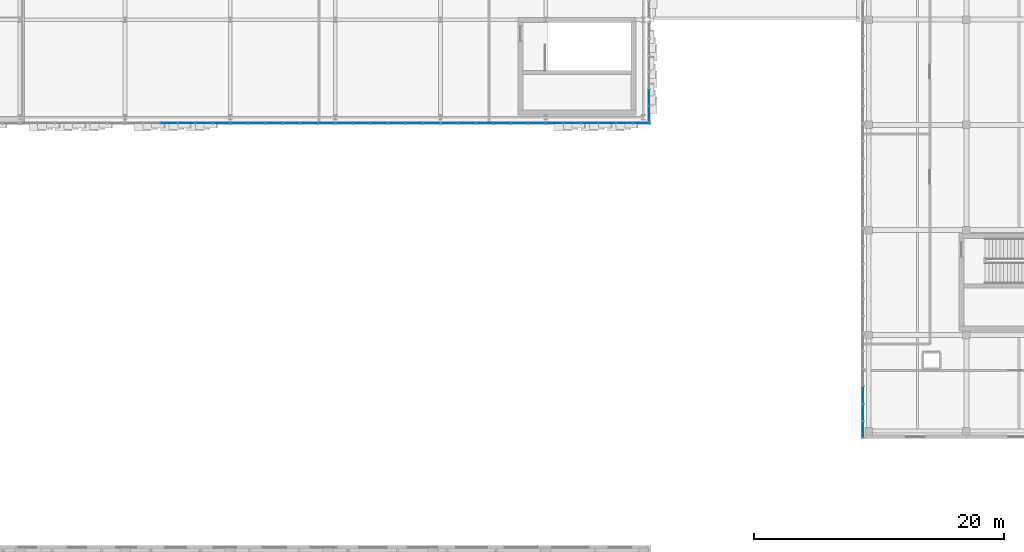
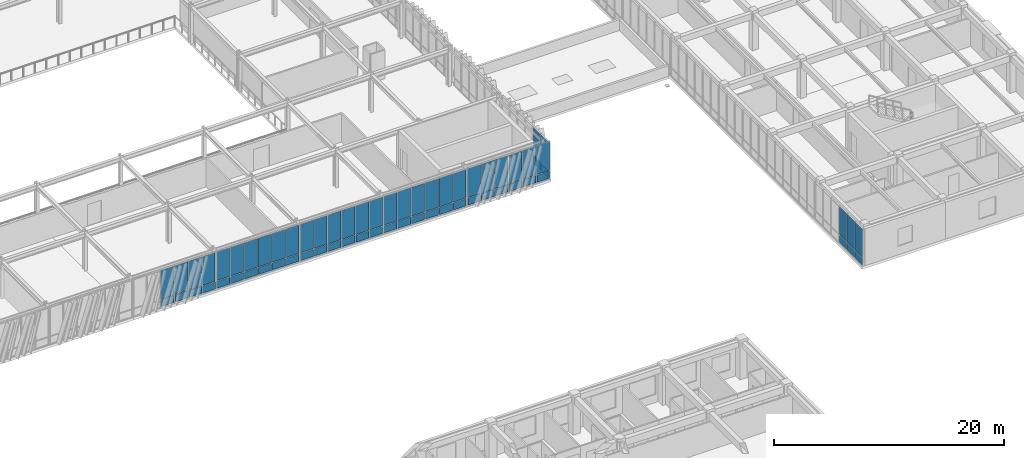
# One storey, part 87 of 123: 66 plates, 7 elements without a shape of their own.
"""IFC4 building model written with IfcOpenShell, lengths in metres."""

from ifc_helpers import new_model, si_unit, direction, frame, origin, origin_2d, place, context, subcontext, project, spatial, rectangle, extrude, material, layer, layer_set, type_object, element, aggregate, save


model = new_model("IFC4")

# Units and contexts
model_context = context("Model", 3, precision=1e-05, world=origin(), true_north=direction((0.0, 1.0)))
body_context = subcontext(model_context, "Body", "Model", "MODEL_VIEW")
ifc_project = project(units=[si_unit("LENGTHUNIT", "METRE"), si_unit("AREAUNIT", "SQUARE_METRE"), si_unit("VOLUMEUNIT", "CUBIC_METRE"), si_unit("PLANEANGLEUNIT", "RADIAN"), si_unit("MASSUNIT", "GRAM", prefix="KILO")], contexts=[model_context])

# Site, building, storey
site_placement = place(None, origin())
site = spatial("IfcSite", under=ifc_project, at=site_placement, CompositionType="ELEMENT")
building_placement = place(site_placement, origin())
building = spatial("IfcBuilding", under=site, at=building_placement, Name="Zayran Congress Hotel", CompositionType="ELEMENT")
storey_placement = place(building_placement, frame((0.0, 0.0, 15.0)))
storey = spatial("IfcBuildingStorey", under=building, at=storey_placement, Name="L03", CompositionType="ELEMENT", Elevation=15.0)

# Curtain wall, plates
ifc_material_1 = material(Name="Anodised aluminium and low-E insulated glass", Category="aluminium")
ifc_layer_1 = layer(ifc_material_1, 0.179931640625)
ifc_layer_set_1 = layer_set([ifc_layer_1], Name="Anodised aluminium and low-E insulated glass")
curtain_wall_type_1 = type_object("IfcCurtainWallType", Name="CW-V1S-L03-CW-13-8380-3980", PredefinedType="USERDEFINED", material=ifc_layer_set_1)
curtain_wall_1_placement = place(storey_placement, origin())
curtain_wall_1 = element("IfcCurtainWall", 1, at=curtain_wall_1_placement, inside=storey, type_object=curtain_wall_type_1, Name="CW-V1S-L03-5", ObjectType="CURTAIN WALL", PredefinedType="USERDEFINED")
ifc_material_2 = material(Name="Insulated warm bronze aluminium spandrel panel", Category="aluminium")
ifc_layer_2 = layer(ifc_material_2, 0.06005859375)
ifc_layer_set_2 = layer_set([ifc_layer_2], Name="Insulated warm bronze aluminium spandrel panel")
plate_type_1 = type_object("IfcPlateType", Name="CWP-SP-1277-750", PredefinedType="CURTAIN_PANEL", material=ifc_layer_set_2)
plate_1_placement = place(storey_placement, frame((53.901611328125, 67.75, 0.06005859375), z_axis=(0.0, 0.0, 1.0), x_axis=(1.0, 0.0, 0.0)))
plate_1 = element("IfcPlate", 2, at=plate_1_placement, type_object=plate_type_1, Name="CW-13 Spandrel Panel 3", PredefinedType="CURTAIN_PANEL", context=body_context, shape_type="SweptSolid", body=[
    extrude(rectangle(XDim=1.316650390625, YDim=0.06005859375, at=origin_2d()), origin(), (0.0, 0.0, 1.0), 0.75),
])
plate_2_placement = place(storey_placement, frame((55.29833984375, 67.75, 0.06005859375), z_axis=(0.0, 0.0, 1.0), x_axis=(1.0, 0.0, 0.0)))
plate_2 = element("IfcPlate", 3, at=plate_2_placement, type_object=plate_type_1, Name="CW-13 Spandrel Panel 4", PredefinedType="CURTAIN_PANEL", context=body_context, shape_type="SweptSolid", body=[
    extrude(rectangle(XDim=1.316650390625, YDim=0.06005859375, at=origin_2d()), origin(), (0.0, 0.0, 1.0), 0.75),
])
plate_3_placement = place(storey_placement, frame((56.695068359375, 67.75, 0.06005859375), z_axis=(0.0, 0.0, 1.0), x_axis=(1.0, 0.0, 0.0)))
plate_3 = element("IfcPlate", 4, at=plate_3_placement, type_object=plate_type_1, Name="CW-13 Spandrel Panel 5", PredefinedType="CURTAIN_PANEL", context=body_context, shape_type="SweptSolid", body=[
    extrude(rectangle(XDim=1.316650390625, YDim=0.06005859375, at=origin_2d()), origin(), (0.0, 0.0, 1.0), 0.75),
])
plate_4_placement = place(storey_placement, frame((58.07177734375, 67.75, 0.06005859375), z_axis=(0.0, 0.0, 1.0), x_axis=(1.0, 0.0, 0.0)))
plate_4 = element("IfcPlate", 5, at=plate_4_placement, type_object=plate_type_1, Name="CW-13 Spandrel Panel 6", PredefinedType="CURTAIN_PANEL", context=body_context, shape_type="SweptSolid", body=[
    extrude(rectangle(XDim=1.276611328125, YDim=0.06005859375, at=origin_2d()), origin(), (0.0, 0.0, 1.0), 0.75),
])

ifc_layer_3 = layer(ifc_material_1, 0.179931640625)
ifc_layer_set_3 = layer_set([ifc_layer_3], Name="Anodised aluminium and low-E insulated glass")
curtain_wall_type_2 = type_object("IfcCurtainWallType", Name="CW-V1S-L03-CW-11-8380-3980", PredefinedType="USERDEFINED", material=ifc_layer_set_3)
curtain_wall_2_placement = place(storey_placement, origin())
curtain_wall_2 = element("IfcCurtainWall", 6, at=curtain_wall_2_placement, inside=storey, type_object=curtain_wall_type_2, Name="CW-V1S-L03-6", ObjectType="CURTAIN WALL", PredefinedType="USERDEFINED")
plate_5_placement = place(storey_placement, frame((59.5283203125, 67.75, 0.06005859375), z_axis=(0.0, 0.0, 1.0), x_axis=(1.0, 0.0, 0.0)))
plate_5 = element("IfcPlate", 7, at=plate_5_placement, type_object=plate_type_1, Name="CW-11 Spandrel Panel 1", PredefinedType="CURTAIN_PANEL", context=body_context, shape_type="SweptSolid", body=[
    extrude(rectangle(XDim=1.276611328125, YDim=0.06005859375, at=origin_2d()), origin(), (0.0, 0.0, 1.0), 0.75),
])
plate_6_placement = place(storey_placement, frame((60.905029296875, 67.75, 0.06005859375), z_axis=(0.0, 0.0, 1.0), x_axis=(1.0, 0.0, 0.0)))
plate_6 = element("IfcPlate", 8, at=plate_6_placement, type_object=plate_type_1, Name="CW-11 Spandrel Panel 2", PredefinedType="CURTAIN_PANEL", context=body_context, shape_type="SweptSolid", body=[
    extrude(rectangle(XDim=1.316650390625, YDim=0.06005859375, at=origin_2d()), origin(), (0.0, 0.0, 1.0), 0.75),
])
plate_7_placement = place(storey_placement, frame((62.3017578125, 67.75, 0.06005859375), z_axis=(0.0, 0.0, 1.0), x_axis=(1.0, 0.0, 0.0)))
plate_7 = element("IfcPlate", 9, at=plate_7_placement, type_object=plate_type_1, Name="CW-11 Spandrel Panel 3", PredefinedType="CURTAIN_PANEL", context=body_context, shape_type="SweptSolid", body=[
    extrude(rectangle(XDim=1.316650390625, YDim=0.06005859375, at=origin_2d()), origin(), (0.0, 0.0, 1.0), 0.75),
])
plate_8_placement = place(storey_placement, frame((63.6982421875, 67.75, 0.06005859375), z_axis=(0.0, 0.0, 1.0), x_axis=(1.0, 0.0, 0.0)))
plate_8 = element("IfcPlate", 10, at=plate_8_placement, type_object=plate_type_1, Name="CW-11 Spandrel Panel 4", PredefinedType="CURTAIN_PANEL", context=body_context, shape_type="SweptSolid", body=[
    extrude(rectangle(XDim=1.316650390625, YDim=0.06005859375, at=origin_2d()), origin(), (0.0, 0.0, 1.0), 0.75),
])
plate_9_placement = place(storey_placement, frame((65.094970703125, 67.75, 0.06005859375), z_axis=(0.0, 0.0, 1.0), x_axis=(1.0, 0.0, 0.0)))
plate_9 = element("IfcPlate", 11, at=plate_9_placement, type_object=plate_type_1, Name="CW-11 Spandrel Panel 5", PredefinedType="CURTAIN_PANEL", context=body_context, shape_type="SweptSolid", body=[
    extrude(rectangle(XDim=1.316650390625, YDim=0.06005859375, at=origin_2d()), origin(), (0.0, 0.0, 1.0), 0.75),
])
plate_10_placement = place(storey_placement, frame((66.4716796875, 67.75, 0.06005859375), z_axis=(0.0, 0.0, 1.0), x_axis=(1.0, 0.0, 0.0)))
plate_10 = element("IfcPlate", 12, at=plate_10_placement, type_object=plate_type_1, Name="CW-11 Spandrel Panel 6", PredefinedType="CURTAIN_PANEL", context=body_context, shape_type="SweptSolid", body=[
    extrude(rectangle(XDim=1.276611328125, YDim=0.06005859375, at=origin_2d()), origin(), (0.0, 0.0, 1.0), 0.75),
])

ifc_layer_4 = layer(ifc_material_1, 0.179931640625)
ifc_layer_set_4 = layer_set([ifc_layer_4], Name="Anodised aluminium and low-E insulated glass")
curtain_wall_type_3 = type_object("IfcCurtainWallType", Name="CW-V1S-L03-CW-12-8380-3980", PredefinedType="USERDEFINED", material=ifc_layer_set_4)
curtain_wall_3_placement = place(storey_placement, origin())
curtain_wall_3 = element("IfcCurtainWall", 13, at=curtain_wall_3_placement, inside=storey, type_object=curtain_wall_type_3, Name="CW-V1S-L03-7", ObjectType="CURTAIN WALL", PredefinedType="USERDEFINED")
plate_11_placement = place(storey_placement, frame((67.92822265625, 67.75, 0.06005859375), z_axis=(0.0, 0.0, 1.0), x_axis=(1.0, 0.0, 0.0)))
plate_11 = element("IfcPlate", 14, at=plate_11_placement, type_object=plate_type_1, Name="CW-12 Spandrel Panel 1", PredefinedType="CURTAIN_PANEL", context=body_context, shape_type="SweptSolid", body=[
    extrude(rectangle(XDim=1.276611328125, YDim=0.06005859375, at=origin_2d()), origin(), (0.0, 0.0, 1.0), 0.75),
])
plate_12_placement = place(storey_placement, frame((69.304931640625, 67.75, 0.06005859375), z_axis=(0.0, 0.0, 1.0), x_axis=(1.0, 0.0, 0.0)))
plate_12 = element("IfcPlate", 15, at=plate_12_placement, type_object=plate_type_1, Name="CW-12 Spandrel Panel 2", PredefinedType="CURTAIN_PANEL", context=body_context, shape_type="SweptSolid", body=[
    extrude(rectangle(XDim=1.316650390625, YDim=0.06005859375, at=origin_2d()), origin(), (0.0, 0.0, 1.0), 0.75),
])
plate_13_placement = place(storey_placement, frame((70.70166015625, 67.75, 0.06005859375), z_axis=(0.0, 0.0, 1.0), x_axis=(1.0, 0.0, 0.0)))
plate_13 = element("IfcPlate", 16, at=plate_13_placement, type_object=plate_type_1, Name="CW-12 Spandrel Panel 3", PredefinedType="CURTAIN_PANEL", context=body_context, shape_type="SweptSolid", body=[
    extrude(rectangle(XDim=1.316650390625, YDim=0.06005859375, at=origin_2d()), origin(), (0.0, 0.0, 1.0), 0.75),
])
plate_14_placement = place(storey_placement, frame((72.098388671875, 67.75, 0.06005859375), z_axis=(0.0, 0.0, 1.0), x_axis=(1.0, 0.0, 0.0)))
plate_14 = element("IfcPlate", 17, at=plate_14_placement, type_object=plate_type_1, Name="CW-12 Spandrel Panel 4", PredefinedType="CURTAIN_PANEL", context=body_context, shape_type="SweptSolid", body=[
    extrude(rectangle(XDim=1.316650390625, YDim=0.06005859375, at=origin_2d()), origin(), (0.0, 0.0, 1.0), 0.75),
])
plate_15_placement = place(storey_placement, frame((73.4951171875, 67.75, 0.06005859375), z_axis=(0.0, 0.0, 1.0), x_axis=(1.0, 0.0, 0.0)))
plate_15 = element("IfcPlate", 18, at=plate_15_placement, type_object=plate_type_1, Name="CW-12 Spandrel Panel 5", PredefinedType="CURTAIN_PANEL", context=body_context, shape_type="SweptSolid", body=[
    extrude(rectangle(XDim=1.316650390625, YDim=0.06005859375, at=origin_2d()), origin(), (0.0, 0.0, 1.0), 0.75),
])
plate_16_placement = place(storey_placement, frame((74.87158203125, 67.75, 0.06005859375), z_axis=(0.0, 0.0, 1.0), x_axis=(1.0, 0.0, 0.0)))
plate_16 = element("IfcPlate", 19, at=plate_16_placement, type_object=plate_type_1, Name="CW-12 Spandrel Panel 6", PredefinedType="CURTAIN_PANEL", context=body_context, shape_type="SweptSolid", body=[
    extrude(rectangle(XDim=1.276611328125, YDim=0.06005859375, at=origin_2d()), origin(), (0.0, 0.0, 1.0), 0.75),
])

curtain_wall_4_placement = place(storey_placement, origin())
curtain_wall_4 = element("IfcCurtainWall", 20, at=curtain_wall_4_placement, inside=storey, type_object=curtain_wall_type_1, Name="CW-V1S-L03-8", ObjectType="CURTAIN WALL", PredefinedType="USERDEFINED")
plate_17_placement = place(storey_placement, frame((76.328369140625, 67.75, 0.06005859375), z_axis=(0.0, 0.0, 1.0), x_axis=(1.0, 0.0, 0.0)))
plate_17 = element("IfcPlate", 21, at=plate_17_placement, type_object=plate_type_1, Name="CW-13 Spandrel Panel 1", PredefinedType="CURTAIN_PANEL", context=body_context, shape_type="SweptSolid", body=[
    extrude(rectangle(XDim=1.276611328125, YDim=0.06005859375, at=origin_2d()), origin(), (0.0, 0.0, 1.0), 0.75),
])
plate_18_placement = place(storey_placement, frame((77.705078125, 67.75, 0.06005859375), z_axis=(0.0, 0.0, 1.0), x_axis=(1.0, 0.0, 0.0)))
plate_18 = element("IfcPlate", 22, at=plate_18_placement, type_object=plate_type_1, Name="CW-13 Spandrel Panel 2", PredefinedType="CURTAIN_PANEL", context=body_context, shape_type="SweptSolid", body=[
    extrude(rectangle(XDim=1.316650390625, YDim=0.06005859375, at=origin_2d()), origin(), (0.0, 0.0, 1.0), 0.75),
])
plate_19_placement = place(storey_placement, frame((79.101806640625, 67.75, 0.06005859375), z_axis=(0.0, 0.0, 1.0), x_axis=(1.0, 0.0, 0.0)))
plate_19 = element("IfcPlate", 23, at=plate_19_placement, type_object=plate_type_1, Name="CW-13 Spandrel Panel 3", PredefinedType="CURTAIN_PANEL", context=body_context, shape_type="SweptSolid", body=[
    extrude(rectangle(XDim=1.316650390625, YDim=0.06005859375, at=origin_2d()), origin(), (0.0, 0.0, 1.0), 0.75),
])
plate_20_placement = place(storey_placement, frame((80.498291015625, 67.75, 0.06005859375), z_axis=(0.0, 0.0, 1.0), x_axis=(1.0, 0.0, 0.0)))
plate_20 = element("IfcPlate", 24, at=plate_20_placement, type_object=plate_type_1, Name="CW-13 Spandrel Panel 4", PredefinedType="CURTAIN_PANEL", context=body_context, shape_type="SweptSolid", body=[
    extrude(rectangle(XDim=1.316650390625, YDim=0.06005859375, at=origin_2d()), origin(), (0.0, 0.0, 1.0), 0.75),
])
plate_21_placement = place(storey_placement, frame((81.89501953125, 67.75, 0.06005859375), z_axis=(0.0, 0.0, 1.0), x_axis=(1.0, 0.0, 0.0)))
plate_21 = element("IfcPlate", 25, at=plate_21_placement, type_object=plate_type_1, Name="CW-13 Spandrel Panel 5", PredefinedType="CURTAIN_PANEL", context=body_context, shape_type="SweptSolid", body=[
    extrude(rectangle(XDim=1.316650390625, YDim=0.06005859375, at=origin_2d()), origin(), (0.0, 0.0, 1.0), 0.75),
])
plate_22_placement = place(storey_placement, frame((83.271728515625, 67.75, 0.06005859375), z_axis=(0.0, 0.0, 1.0), x_axis=(1.0, 0.0, 0.0)))
plate_22 = element("IfcPlate", 26, at=plate_22_placement, type_object=plate_type_1, Name="CW-13 Spandrel Panel 6", PredefinedType="CURTAIN_PANEL", context=body_context, shape_type="SweptSolid", body=[
    extrude(rectangle(XDim=1.276611328125, YDim=0.06005859375, at=origin_2d()), origin(), (0.0, 0.0, 1.0), 0.75),
])

curtain_wall_5_placement = place(storey_placement, origin())
curtain_wall_5 = element("IfcCurtainWall", 27, at=curtain_wall_5_placement, inside=storey, type_object=curtain_wall_type_2, Name="CW-V1S-L03-9", ObjectType="CURTAIN WALL", PredefinedType="USERDEFINED")
plate_23_placement = place(storey_placement, frame((84.728271484375, 67.75, 0.06005859375), z_axis=(0.0, 0.0, 1.0), x_axis=(1.0, 0.0, 0.0)))
plate_23 = element("IfcPlate", 28, at=plate_23_placement, type_object=plate_type_1, Name="CW-11 Spandrel Panel 1", PredefinedType="CURTAIN_PANEL", context=body_context, shape_type="SweptSolid", body=[
    extrude(rectangle(XDim=1.276611328125, YDim=0.06005859375, at=origin_2d()), origin(), (0.0, 0.0, 1.0), 0.75),
])
plate_24_placement = place(storey_placement, frame((86.10498046875, 67.75, 0.06005859375), z_axis=(0.0, 0.0, 1.0), x_axis=(1.0, 0.0, 0.0)))
plate_24 = element("IfcPlate", 29, at=plate_24_placement, type_object=plate_type_1, Name="CW-11 Spandrel Panel 2", PredefinedType="CURTAIN_PANEL", context=body_context, shape_type="SweptSolid", body=[
    extrude(rectangle(XDim=1.316650390625, YDim=0.06005859375, at=origin_2d()), origin(), (0.0, 0.0, 1.0), 0.75),
])
plate_25_placement = place(storey_placement, frame((87.501708984375, 67.75, 0.06005859375), z_axis=(0.0, 0.0, 1.0), x_axis=(1.0, 0.0, 0.0)))
plate_25 = element("IfcPlate", 30, at=plate_25_placement, type_object=plate_type_1, Name="CW-11 Spandrel Panel 3", PredefinedType="CURTAIN_PANEL", context=body_context, shape_type="SweptSolid", body=[
    extrude(rectangle(XDim=1.316650390625, YDim=0.06005859375, at=origin_2d()), origin(), (0.0, 0.0, 1.0), 0.75),
])
plate_26_placement = place(storey_placement, frame((88.898193359375, 67.75, 0.06005859375), z_axis=(0.0, 0.0, 1.0), x_axis=(1.0, 0.0, 0.0)))
plate_26 = element("IfcPlate", 31, at=plate_26_placement, type_object=plate_type_1, Name="CW-11 Spandrel Panel 4", PredefinedType="CURTAIN_PANEL", context=body_context, shape_type="SweptSolid", body=[
    extrude(rectangle(XDim=1.316650390625, YDim=0.06005859375, at=origin_2d()), origin(), (0.0, 0.0, 1.0), 0.75),
])
plate_27_placement = place(storey_placement, frame((90.294921875, 67.75, 0.06005859375), z_axis=(0.0, 0.0, 1.0), x_axis=(1.0, 0.0, 0.0)))
plate_27 = element("IfcPlate", 32, at=plate_27_placement, type_object=plate_type_1, Name="CW-11 Spandrel Panel 5", PredefinedType="CURTAIN_PANEL", context=body_context, shape_type="SweptSolid", body=[
    extrude(rectangle(XDim=1.316650390625, YDim=0.06005859375, at=origin_2d()), origin(), (0.0, 0.0, 1.0), 0.75),
])
plate_28_placement = place(storey_placement, frame((91.671630859375, 67.75, 0.06005859375), z_axis=(0.0, 0.0, 1.0), x_axis=(1.0, 0.0, 0.0)))
plate_28 = element("IfcPlate", 33, at=plate_28_placement, type_object=plate_type_1, Name="CW-11 Spandrel Panel 6", PredefinedType="CURTAIN_PANEL", context=body_context, shape_type="SweptSolid", body=[
    extrude(rectangle(XDim=1.276611328125, YDim=0.06005859375, at=origin_2d()), origin(), (0.0, 0.0, 1.0), 0.75),
])

ifc_layer_5 = layer(ifc_material_1, 0.179931640625)
ifc_layer_set_5 = layer_set([ifc_layer_5], Name="Anodised aluminium and low-E insulated glass")
curtain_wall_type_4 = type_object("IfcCurtainWallType", Name="CW-V1E-L03-CW-41-8040-3980", PredefinedType="USERDEFINED", material=ifc_layer_set_5)
curtain_wall_6_placement = place(storey_placement, origin())
curtain_wall_6 = element("IfcCurtainWall", 34, at=curtain_wall_6_placement, inside=storey, type_object=curtain_wall_type_4, Name="CW-V1E-L03-0", ObjectType="CURTAIN WALL", PredefinedType="USERDEFINED")
ifc_layer_6 = layer(ifc_material_2, 0.06005859375)
ifc_layer_set_6 = layer_set([ifc_layer_6], Name="Insulated warm bronze aluminium spandrel panel")
plate_type_2 = type_object("IfcPlateType", Name="CWP-SP-1220-750", PredefinedType="CURTAIN_PANEL", material=ifc_layer_set_6)
plate_29_placement = place(storey_placement, frame((92.25, 68.469970703125, 0.06005859375), z_axis=(0.0, 0.0, 1.0), x_axis=(0.0, 1.0, 0.0)))
plate_29 = element("IfcPlate", 35, at=plate_29_placement, type_object=plate_type_2, Name="CW-41 Spandrel Panel 1", PredefinedType="CURTAIN_PANEL", context=body_context, shape_type="SweptSolid", body=[
    extrude(rectangle(XDim=1.219970703125, YDim=0.06005859375, at=origin_2d()), origin(), (0.0, 0.0, 1.0), 0.75),
])
plate_30_placement = place(storey_placement, frame((92.25, 69.7900390625, 0.06005859375), z_axis=(0.0, 0.0, 1.0), x_axis=(0.0, 1.0, 0.0)))
plate_30 = element("IfcPlate", 36, at=plate_30_placement, type_object=plate_type_2, Name="CW-41 Spandrel Panel 2", PredefinedType="CURTAIN_PANEL", context=body_context, shape_type="SweptSolid", body=[
    extrude(rectangle(XDim=1.260009765625, YDim=0.06005859375, at=origin_2d()), origin(), (0.0, 0.0, 1.0), 0.75),
])

# Plate
ifc_layer_7 = layer(ifc_material_1, 0.028076171875)
ifc_layer_set_7 = layer_set([ifc_layer_7], Name="Anodised aluminium and low-E insulated glass")
plate_type_3 = type_object("IfcPlateType", Name="CWP-GL-1277-3050", PredefinedType="CURTAIN_PANEL", material=ifc_layer_set_7)
plate_31_placement = place(storey_placement, frame((53.901611328125, 67.75, 0.8701171875), z_axis=(0.0, 0.0, 1.0), x_axis=(1.0, 0.0, 0.0)))
plate_31 = element("IfcPlate", 37, at=plate_31_placement, type_object=plate_type_3, Name="CW-13 Glazed Panel 3", PredefinedType="CURTAIN_PANEL", context=body_context, shape_type="SweptSolid", body=[
    extrude(rectangle(XDim=1.316650390625, YDim=0.028076171875, at=origin_2d()), origin(), (0.0, 0.0, 1.0), 3.050048828125),
])

plate_32_placement = place(storey_placement, frame((55.29833984375, 67.75, 0.8701171875), z_axis=(0.0, 0.0, 1.0), x_axis=(1.0, 0.0, 0.0)))
plate_32 = element("IfcPlate", 38, at=plate_32_placement, type_object=plate_type_3, Name="CW-13 Glazed Panel 4", PredefinedType="CURTAIN_PANEL", context=body_context, shape_type="SweptSolid", body=[
    extrude(rectangle(XDim=1.316650390625, YDim=0.028076171875, at=origin_2d()), origin(), (0.0, 0.0, 1.0), 3.050048828125),
])

plate_33_placement = place(storey_placement, frame((56.695068359375, 67.75, 0.8701171875), z_axis=(0.0, 0.0, 1.0), x_axis=(1.0, 0.0, 0.0)))
plate_33 = element("IfcPlate", 39, at=plate_33_placement, type_object=plate_type_3, Name="CW-13 Glazed Panel 5", PredefinedType="CURTAIN_PANEL", context=body_context, shape_type="SweptSolid", body=[
    extrude(rectangle(XDim=1.316650390625, YDim=0.028076171875, at=origin_2d()), origin(), (0.0, 0.0, 1.0), 3.050048828125),
])

plate_34_placement = place(storey_placement, frame((58.07177734375, 67.75, 0.8701171875), z_axis=(0.0, 0.0, 1.0), x_axis=(1.0, 0.0, 0.0)))
plate_34 = element("IfcPlate", 40, at=plate_34_placement, type_object=plate_type_3, Name="CW-13 Glazed Panel 6", PredefinedType="CURTAIN_PANEL", context=body_context, shape_type="SweptSolid", body=[
    extrude(rectangle(XDim=1.276611328125, YDim=0.028076171875, at=origin_2d()), origin(), (0.0, 0.0, 1.0), 3.050048828125),
])

aggregate(curtain_wall_1, [plate_1, plate_31, plate_2, plate_32, plate_3, plate_33, plate_4, plate_34])

plate_35_placement = place(storey_placement, frame((59.5283203125, 67.75, 0.8701171875), z_axis=(0.0, 0.0, 1.0), x_axis=(1.0, 0.0, 0.0)))
plate_35 = element("IfcPlate", 41, at=plate_35_placement, type_object=plate_type_3, Name="CW-11 Glazed Panel 1", PredefinedType="CURTAIN_PANEL", context=body_context, shape_type="SweptSolid", body=[
    extrude(rectangle(XDim=1.276611328125, YDim=0.028076171875, at=origin_2d()), origin(), (0.0, 0.0, 1.0), 3.050048828125),
])

plate_36_placement = place(storey_placement, frame((60.905029296875, 67.75, 0.8701171875), z_axis=(0.0, 0.0, 1.0), x_axis=(1.0, 0.0, 0.0)))
plate_36 = element("IfcPlate", 42, at=plate_36_placement, type_object=plate_type_3, Name="CW-11 Glazed Panel 2", PredefinedType="CURTAIN_PANEL", context=body_context, shape_type="SweptSolid", body=[
    extrude(rectangle(XDim=1.316650390625, YDim=0.028076171875, at=origin_2d()), origin(), (0.0, 0.0, 1.0), 3.050048828125),
])

plate_37_placement = place(storey_placement, frame((62.3017578125, 67.75, 0.8701171875), z_axis=(0.0, 0.0, 1.0), x_axis=(1.0, 0.0, 0.0)))
plate_37 = element("IfcPlate", 43, at=plate_37_placement, type_object=plate_type_3, Name="CW-11 Glazed Panel 3", PredefinedType="CURTAIN_PANEL", context=body_context, shape_type="SweptSolid", body=[
    extrude(rectangle(XDim=1.316650390625, YDim=0.028076171875, at=origin_2d()), origin(), (0.0, 0.0, 1.0), 3.050048828125),
])

plate_38_placement = place(storey_placement, frame((63.6982421875, 67.75, 0.8701171875), z_axis=(0.0, 0.0, 1.0), x_axis=(1.0, 0.0, 0.0)))
plate_38 = element("IfcPlate", 44, at=plate_38_placement, type_object=plate_type_3, Name="CW-11 Glazed Panel 4", PredefinedType="CURTAIN_PANEL", context=body_context, shape_type="SweptSolid", body=[
    extrude(rectangle(XDim=1.316650390625, YDim=0.028076171875, at=origin_2d()), origin(), (0.0, 0.0, 1.0), 3.050048828125),
])

plate_39_placement = place(storey_placement, frame((65.094970703125, 67.75, 0.8701171875), z_axis=(0.0, 0.0, 1.0), x_axis=(1.0, 0.0, 0.0)))
plate_39 = element("IfcPlate", 45, at=plate_39_placement, type_object=plate_type_3, Name="CW-11 Glazed Panel 5", PredefinedType="CURTAIN_PANEL", context=body_context, shape_type="SweptSolid", body=[
    extrude(rectangle(XDim=1.316650390625, YDim=0.028076171875, at=origin_2d()), origin(), (0.0, 0.0, 1.0), 3.050048828125),
])

plate_40_placement = place(storey_placement, frame((66.4716796875, 67.75, 0.8701171875), z_axis=(0.0, 0.0, 1.0), x_axis=(1.0, 0.0, 0.0)))
plate_40 = element("IfcPlate", 46, at=plate_40_placement, type_object=plate_type_3, Name="CW-11 Glazed Panel 6", PredefinedType="CURTAIN_PANEL", context=body_context, shape_type="SweptSolid", body=[
    extrude(rectangle(XDim=1.276611328125, YDim=0.028076171875, at=origin_2d()), origin(), (0.0, 0.0, 1.0), 3.050048828125),
])

aggregate(curtain_wall_2, [plate_5, plate_35, plate_6, plate_36, plate_7, plate_37, plate_8, plate_38, plate_9, plate_39, plate_10, plate_40])

plate_41_placement = place(storey_placement, frame((67.92822265625, 67.75, 0.8701171875), z_axis=(0.0, 0.0, 1.0), x_axis=(1.0, 0.0, 0.0)))
plate_41 = element("IfcPlate", 47, at=plate_41_placement, type_object=plate_type_3, Name="CW-12 Glazed Panel 1", PredefinedType="CURTAIN_PANEL", context=body_context, shape_type="SweptSolid", body=[
    extrude(rectangle(XDim=1.276611328125, YDim=0.028076171875, at=origin_2d()), origin(), (0.0, 0.0, 1.0), 3.050048828125),
])

plate_42_placement = place(storey_placement, frame((69.304931640625, 67.75, 0.8701171875), z_axis=(0.0, 0.0, 1.0), x_axis=(1.0, 0.0, 0.0)))
plate_42 = element("IfcPlate", 48, at=plate_42_placement, type_object=plate_type_3, Name="CW-12 Glazed Panel 2", PredefinedType="CURTAIN_PANEL", context=body_context, shape_type="SweptSolid", body=[
    extrude(rectangle(XDim=1.316650390625, YDim=0.028076171875, at=origin_2d()), origin(), (0.0, 0.0, 1.0), 3.050048828125),
])

plate_43_placement = place(storey_placement, frame((70.70166015625, 67.75, 0.8701171875), z_axis=(0.0, 0.0, 1.0), x_axis=(1.0, 0.0, 0.0)))
plate_43 = element("IfcPlate", 49, at=plate_43_placement, type_object=plate_type_3, Name="CW-12 Glazed Panel 3", PredefinedType="CURTAIN_PANEL", context=body_context, shape_type="SweptSolid", body=[
    extrude(rectangle(XDim=1.316650390625, YDim=0.028076171875, at=origin_2d()), origin(), (0.0, 0.0, 1.0), 3.050048828125),
])

plate_44_placement = place(storey_placement, frame((72.098388671875, 67.75, 0.8701171875), z_axis=(0.0, 0.0, 1.0), x_axis=(1.0, 0.0, 0.0)))
plate_44 = element("IfcPlate", 50, at=plate_44_placement, type_object=plate_type_3, Name="CW-12 Glazed Panel 4", PredefinedType="CURTAIN_PANEL", context=body_context, shape_type="SweptSolid", body=[
    extrude(rectangle(XDim=1.316650390625, YDim=0.028076171875, at=origin_2d()), origin(), (0.0, 0.0, 1.0), 3.050048828125),
])

plate_45_placement = place(storey_placement, frame((73.4951171875, 67.75, 0.8701171875), z_axis=(0.0, 0.0, 1.0), x_axis=(1.0, 0.0, 0.0)))
plate_45 = element("IfcPlate", 51, at=plate_45_placement, type_object=plate_type_3, Name="CW-12 Glazed Panel 5", PredefinedType="CURTAIN_PANEL", context=body_context, shape_type="SweptSolid", body=[
    extrude(rectangle(XDim=1.316650390625, YDim=0.028076171875, at=origin_2d()), origin(), (0.0, 0.0, 1.0), 3.050048828125),
])

plate_46_placement = place(storey_placement, frame((74.87158203125, 67.75, 0.8701171875), z_axis=(0.0, 0.0, 1.0), x_axis=(1.0, 0.0, 0.0)))
plate_46 = element("IfcPlate", 52, at=plate_46_placement, type_object=plate_type_3, Name="CW-12 Glazed Panel 6", PredefinedType="CURTAIN_PANEL", context=body_context, shape_type="SweptSolid", body=[
    extrude(rectangle(XDim=1.276611328125, YDim=0.028076171875, at=origin_2d()), origin(), (0.0, 0.0, 1.0), 3.050048828125),
])

aggregate(curtain_wall_3, [plate_11, plate_41, plate_12, plate_42, plate_13, plate_43, plate_14, plate_44, plate_15, plate_45, plate_16, plate_46])

plate_47_placement = place(storey_placement, frame((76.328369140625, 67.75, 0.8701171875), z_axis=(0.0, 0.0, 1.0), x_axis=(1.0, 0.0, 0.0)))
plate_47 = element("IfcPlate", 53, at=plate_47_placement, type_object=plate_type_3, Name="CW-13 Glazed Panel 1", PredefinedType="CURTAIN_PANEL", context=body_context, shape_type="SweptSolid", body=[
    extrude(rectangle(XDim=1.276611328125, YDim=0.028076171875, at=origin_2d()), origin(), (0.0, 0.0, 1.0), 3.050048828125),
])

plate_48_placement = place(storey_placement, frame((77.705078125, 67.75, 0.8701171875), z_axis=(0.0, 0.0, 1.0), x_axis=(1.0, 0.0, 0.0)))
plate_48 = element("IfcPlate", 54, at=plate_48_placement, type_object=plate_type_3, Name="CW-13 Glazed Panel 2", PredefinedType="CURTAIN_PANEL", context=body_context, shape_type="SweptSolid", body=[
    extrude(rectangle(XDim=1.316650390625, YDim=0.028076171875, at=origin_2d()), origin(), (0.0, 0.0, 1.0), 3.050048828125),
])

plate_49_placement = place(storey_placement, frame((79.101806640625, 67.75, 0.8701171875), z_axis=(0.0, 0.0, 1.0), x_axis=(1.0, 0.0, 0.0)))
plate_49 = element("IfcPlate", 55, at=plate_49_placement, type_object=plate_type_3, Name="CW-13 Glazed Panel 3", PredefinedType="CURTAIN_PANEL", context=body_context, shape_type="SweptSolid", body=[
    extrude(rectangle(XDim=1.316650390625, YDim=0.028076171875, at=origin_2d()), origin(), (0.0, 0.0, 1.0), 3.050048828125),
])

plate_50_placement = place(storey_placement, frame((80.498291015625, 67.75, 0.8701171875), z_axis=(0.0, 0.0, 1.0), x_axis=(1.0, 0.0, 0.0)))
plate_50 = element("IfcPlate", 56, at=plate_50_placement, type_object=plate_type_3, Name="CW-13 Glazed Panel 4", PredefinedType="CURTAIN_PANEL", context=body_context, shape_type="SweptSolid", body=[
    extrude(rectangle(XDim=1.316650390625, YDim=0.028076171875, at=origin_2d()), origin(), (0.0, 0.0, 1.0), 3.050048828125),
])

plate_51_placement = place(storey_placement, frame((81.89501953125, 67.75, 0.8701171875), z_axis=(0.0, 0.0, 1.0), x_axis=(1.0, 0.0, 0.0)))
plate_51 = element("IfcPlate", 57, at=plate_51_placement, type_object=plate_type_3, Name="CW-13 Glazed Panel 5", PredefinedType="CURTAIN_PANEL", context=body_context, shape_type="SweptSolid", body=[
    extrude(rectangle(XDim=1.316650390625, YDim=0.028076171875, at=origin_2d()), origin(), (0.0, 0.0, 1.0), 3.050048828125),
])

plate_52_placement = place(storey_placement, frame((83.271728515625, 67.75, 0.8701171875), z_axis=(0.0, 0.0, 1.0), x_axis=(1.0, 0.0, 0.0)))
plate_52 = element("IfcPlate", 58, at=plate_52_placement, type_object=plate_type_3, Name="CW-13 Glazed Panel 6", PredefinedType="CURTAIN_PANEL", context=body_context, shape_type="SweptSolid", body=[
    extrude(rectangle(XDim=1.276611328125, YDim=0.028076171875, at=origin_2d()), origin(), (0.0, 0.0, 1.0), 3.050048828125),
])

aggregate(curtain_wall_4, [plate_17, plate_47, plate_18, plate_48, plate_19, plate_49, plate_20, plate_50, plate_21, plate_51, plate_22, plate_52])

plate_53_placement = place(storey_placement, frame((84.728271484375, 67.75, 0.8701171875), z_axis=(0.0, 0.0, 1.0), x_axis=(1.0, 0.0, 0.0)))
plate_53 = element("IfcPlate", 59, at=plate_53_placement, type_object=plate_type_3, Name="CW-11 Glazed Panel 1", PredefinedType="CURTAIN_PANEL", context=body_context, shape_type="SweptSolid", body=[
    extrude(rectangle(XDim=1.276611328125, YDim=0.028076171875, at=origin_2d()), origin(), (0.0, 0.0, 1.0), 3.050048828125),
])

plate_54_placement = place(storey_placement, frame((86.10498046875, 67.75, 0.8701171875), z_axis=(0.0, 0.0, 1.0), x_axis=(1.0, 0.0, 0.0)))
plate_54 = element("IfcPlate", 60, at=plate_54_placement, type_object=plate_type_3, Name="CW-11 Glazed Panel 2", PredefinedType="CURTAIN_PANEL", context=body_context, shape_type="SweptSolid", body=[
    extrude(rectangle(XDim=1.316650390625, YDim=0.028076171875, at=origin_2d()), origin(), (0.0, 0.0, 1.0), 3.050048828125),
])

plate_55_placement = place(storey_placement, frame((87.501708984375, 67.75, 0.8701171875), z_axis=(0.0, 0.0, 1.0), x_axis=(1.0, 0.0, 0.0)))
plate_55 = element("IfcPlate", 61, at=plate_55_placement, type_object=plate_type_3, Name="CW-11 Glazed Panel 3", PredefinedType="CURTAIN_PANEL", context=body_context, shape_type="SweptSolid", body=[
    extrude(rectangle(XDim=1.316650390625, YDim=0.028076171875, at=origin_2d()), origin(), (0.0, 0.0, 1.0), 3.050048828125),
])

plate_56_placement = place(storey_placement, frame((88.898193359375, 67.75, 0.8701171875), z_axis=(0.0, 0.0, 1.0), x_axis=(1.0, 0.0, 0.0)))
plate_56 = element("IfcPlate", 62, at=plate_56_placement, type_object=plate_type_3, Name="CW-11 Glazed Panel 4", PredefinedType="CURTAIN_PANEL", context=body_context, shape_type="SweptSolid", body=[
    extrude(rectangle(XDim=1.316650390625, YDim=0.028076171875, at=origin_2d()), origin(), (0.0, 0.0, 1.0), 3.050048828125),
])

plate_57_placement = place(storey_placement, frame((90.294921875, 67.75, 0.8701171875), z_axis=(0.0, 0.0, 1.0), x_axis=(1.0, 0.0, 0.0)))
plate_57 = element("IfcPlate", 63, at=plate_57_placement, type_object=plate_type_3, Name="CW-11 Glazed Panel 5", PredefinedType="CURTAIN_PANEL", context=body_context, shape_type="SweptSolid", body=[
    extrude(rectangle(XDim=1.316650390625, YDim=0.028076171875, at=origin_2d()), origin(), (0.0, 0.0, 1.0), 3.050048828125),
])

plate_58_placement = place(storey_placement, frame((91.671630859375, 67.75, 0.8701171875), z_axis=(0.0, 0.0, 1.0), x_axis=(1.0, 0.0, 0.0)))
plate_58 = element("IfcPlate", 64, at=plate_58_placement, type_object=plate_type_3, Name="CW-11 Glazed Panel 6", PredefinedType="CURTAIN_PANEL", context=body_context, shape_type="SweptSolid", body=[
    extrude(rectangle(XDim=1.276611328125, YDim=0.028076171875, at=origin_2d()), origin(), (0.0, 0.0, 1.0), 3.050048828125),
])

aggregate(curtain_wall_5, [plate_23, plate_53, plate_24, plate_54, plate_25, plate_55, plate_26, plate_56, plate_27, plate_57, plate_28, plate_58])

ifc_layer_8 = layer(ifc_material_1, 0.028076171875)
ifc_layer_set_8 = layer_set([ifc_layer_8], Name="Anodised aluminium and low-E insulated glass")
plate_type_4 = type_object("IfcPlateType", Name="CWP-GL-1220-3050", PredefinedType="CURTAIN_PANEL", material=ifc_layer_set_8)
plate_59_placement = place(storey_placement, frame((92.25, 68.469970703125, 0.8701171875), z_axis=(0.0, 0.0, 1.0), x_axis=(0.0, 1.0, 0.0)))
plate_59 = element("IfcPlate", 65, at=plate_59_placement, type_object=plate_type_4, Name="CW-41 Glazed Panel 1", PredefinedType="CURTAIN_PANEL", context=body_context, shape_type="SweptSolid", body=[
    extrude(rectangle(XDim=1.219970703125, YDim=0.028076171875, at=origin_2d()), origin(), (0.0, 0.0, 1.0), 3.050048828125),
])

plate_60_placement = place(storey_placement, frame((92.25, 69.7900390625, 0.8701171875), z_axis=(0.0, 0.0, 1.0), x_axis=(0.0, 1.0, 0.0)))
plate_60 = element("IfcPlate", 66, at=plate_60_placement, type_object=plate_type_4, Name="CW-41 Glazed Panel 2", PredefinedType="CURTAIN_PANEL", context=body_context, shape_type="SweptSolid", body=[
    extrude(rectangle(XDim=1.260009765625, YDim=0.028076171875, at=origin_2d()), origin(), (0.0, 0.0, 1.0), 3.050048828125),
])

aggregate(curtain_wall_6, [plate_29, plate_59, plate_30, plate_60])

# Curtain wall, plates
ifc_layer_9 = layer(ifc_material_1, 0.179931640625)
ifc_layer_set_9 = layer_set([ifc_layer_9], Name="Anodised aluminium and low-E insulated glass")
curtain_wall_type_5 = type_object("IfcCurtainWallType", Name="CW-V4W-L03-CW-51-8374-3920", PredefinedType="USERDEFINED", material=ifc_layer_set_9)
curtain_wall_7_placement = place(storey_placement, origin())
curtain_wall_7 = element("IfcCurtainWall", 67, at=curtain_wall_7_placement, inside=storey, type_object=curtain_wall_type_5, Name="CW-V4W-L03-0", ObjectType="CURTAIN WALL", PredefinedType="USERDEFINED")
ifc_layer_10 = layer(ifc_material_2, 0.06005859375)
ifc_layer_set_10 = layer_set([ifc_layer_10], Name="Insulated warm bronze aluminium spandrel panel")
plate_type_5 = type_object("IfcPlateType", Name="CWP-SP-1276-750", PredefinedType="CURTAIN_PANEL", material=ifc_layer_set_10)
plate_61_placement = place(storey_placement, frame((109.35009765625, 46.039306640625, 0.06005859375), z_axis=(0.0, 0.0, 1.0), x_axis=(0.0, 1.0, 0.0)))
plate_61 = element("IfcPlate", 68, at=plate_61_placement, type_object=plate_type_5, Name="CW-51 Spandrel Panel 4", PredefinedType="CURTAIN_PANEL", context=body_context, shape_type="SweptSolid", body=[
    extrude(rectangle(XDim=1.315673828125, YDim=0.06005859375, at=origin_2d()), origin(), (0.0, 0.0, 1.0), 0.75),
])
plate_62_placement = place(storey_placement, frame((109.35009765625, 44.6435546875, 0.06005859375), z_axis=(0.0, 0.0, 1.0), x_axis=(0.0, 1.0, 0.0)))
plate_62 = element("IfcPlate", 69, at=plate_62_placement, type_object=plate_type_5, Name="CW-51 Spandrel Panel 5", PredefinedType="CURTAIN_PANEL", context=body_context, shape_type="SweptSolid", body=[
    extrude(rectangle(XDim=1.315673828125, YDim=0.06005859375, at=origin_2d()), origin(), (0.0, 0.0, 1.0), 0.75),
])
plate_63_placement = place(storey_placement, frame((109.35009765625, 43.267822265625, 0.06005859375), z_axis=(0.0, 0.0, 1.0), x_axis=(0.0, 1.0, 0.0)))
plate_63 = element("IfcPlate", 70, at=plate_63_placement, type_object=plate_type_5, Name="CW-51 Spandrel Panel 6", PredefinedType="CURTAIN_PANEL", context=body_context, shape_type="SweptSolid", body=[
    extrude(rectangle(XDim=1.275634765625, YDim=0.06005859375, at=origin_2d()), origin(), (0.0, 0.0, 1.0), 0.75),
])
ifc_layer_11 = layer(ifc_material_1, 0.028076171875)
ifc_layer_set_11 = layer_set([ifc_layer_11], Name="Anodised aluminium and low-E insulated glass")
plate_type_6 = type_object("IfcPlateType", Name="CWP-GL-1276-2990", PredefinedType="CURTAIN_PANEL", material=ifc_layer_set_11)
plate_64_placement = place(storey_placement, frame((109.35009765625, 46.039306640625, 0.8701171875), z_axis=(0.0, 0.0, 1.0), x_axis=(0.0, 1.0, 0.0)))
plate_64 = element("IfcPlate", 71, at=plate_64_placement, type_object=plate_type_6, Name="CW-51 Glazed Panel 4", PredefinedType="CURTAIN_PANEL", context=body_context, shape_type="SweptSolid", body=[
    extrude(rectangle(XDim=1.315673828125, YDim=0.028076171875, at=origin_2d()), origin(), (0.0, 0.0, 1.0), 2.989990234375),
])
plate_65_placement = place(storey_placement, frame((109.35009765625, 44.6435546875, 0.8701171875), z_axis=(0.0, 0.0, 1.0), x_axis=(0.0, 1.0, 0.0)))
plate_65 = element("IfcPlate", 72, at=plate_65_placement, type_object=plate_type_6, Name="CW-51 Glazed Panel 5", PredefinedType="CURTAIN_PANEL", context=body_context, shape_type="SweptSolid", body=[
    extrude(rectangle(XDim=1.315673828125, YDim=0.028076171875, at=origin_2d()), origin(), (0.0, 0.0, 1.0), 2.989990234375),
])
plate_66_placement = place(storey_placement, frame((109.35009765625, 43.267822265625, 0.8701171875), z_axis=(0.0, 0.0, 1.0), x_axis=(0.0, 1.0, 0.0)))
plate_66 = element("IfcPlate", 73, at=plate_66_placement, type_object=plate_type_6, Name="CW-51 Glazed Panel 6", PredefinedType="CURTAIN_PANEL", context=body_context, shape_type="SweptSolid", body=[
    extrude(rectangle(XDim=1.275634765625, YDim=0.028076171875, at=origin_2d()), origin(), (0.0, 0.0, 1.0), 2.989990234375),
])
aggregate(curtain_wall_7, [plate_61, plate_64, plate_62, plate_65, plate_63, plate_66])

save(model, "model.ifc")
